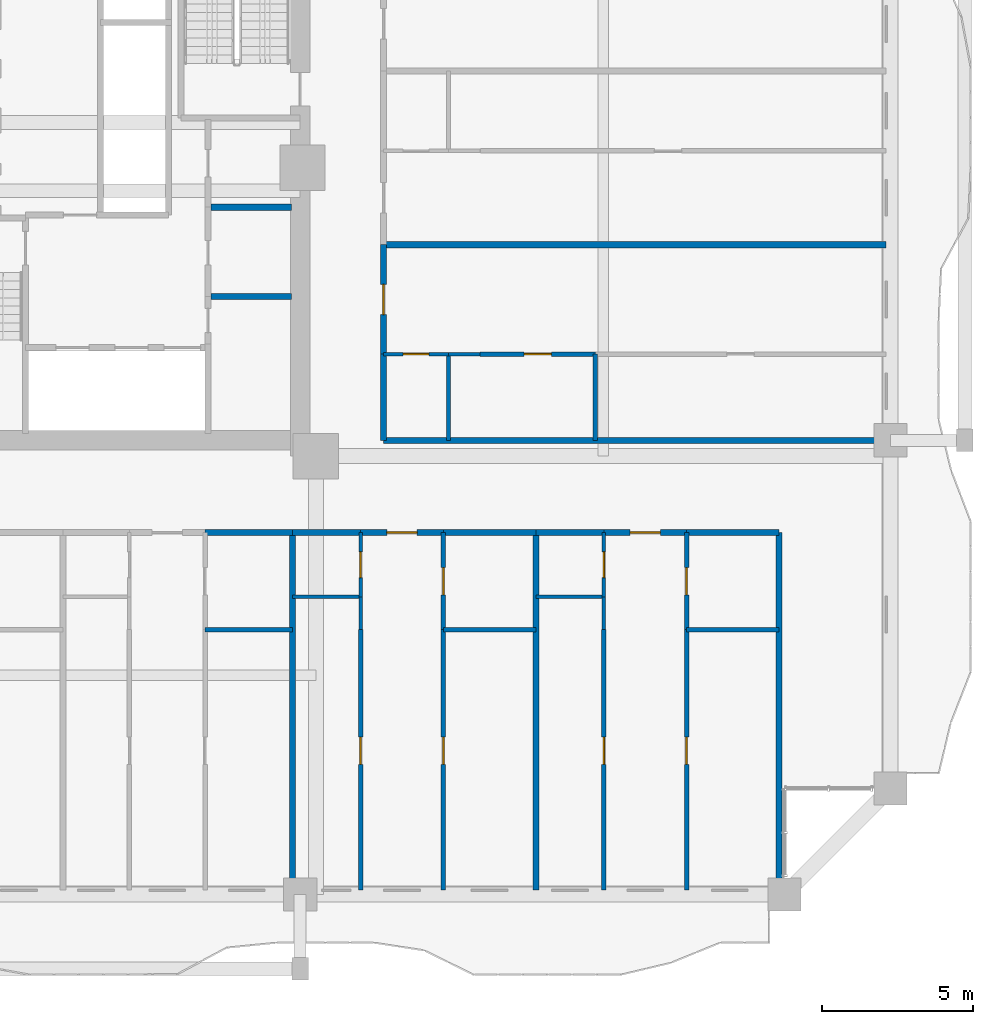
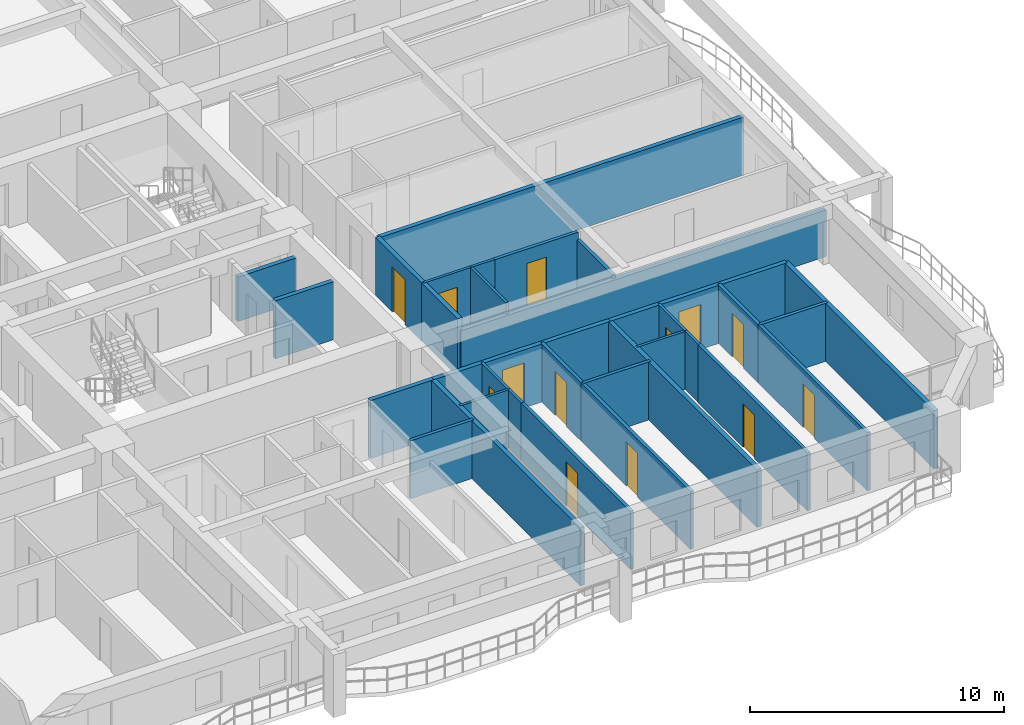
# One storey, part 17 of 28: 36 walls, 13 doors, 13 openings.
"""IFC4 building model written with IfcOpenShell, lengths in metres."""

from ifc_helpers import new_model, si_unit, direction, frame, frame_2d, origin, place, context, subcontext, project, spatial, rectangle, extrude, source, transform, mapped, material, layer, layer_set, type_object, element, fill, save


model = new_model("IFC4")

# Units and contexts
model_context = context("Model", 3, precision=1e-05, world=origin(), true_north=direction((0.0, 1.0)))
body_context = subcontext(model_context, "Body", "Model", "MODEL_VIEW")
ifc_project = project(units=[si_unit("LENGTHUNIT", "METRE"), si_unit("AREAUNIT", "SQUARE_METRE"), si_unit("VOLUMEUNIT", "CUBIC_METRE"), si_unit("PLANEANGLEUNIT", "RADIAN"), si_unit("MASSUNIT", "GRAM", prefix="KILO")], contexts=[model_context])

# Site, building, storey
site_placement = place(None, origin())
site = spatial("IfcSite", under=ifc_project, at=site_placement, CompositionType="ELEMENT")
building_placement = place(site_placement, origin())
building = spatial("IfcBuilding", under=site, at=building_placement, Name="Saelheon Loggia Tower", CompositionType="ELEMENT")
storey_placement = place(building_placement, frame((0.0, 0.0, 61.39990234375)))
storey = spatial("IfcBuildingStorey", under=building, at=storey_placement, Name="L19", CompositionType="ELEMENT", Elevation=61.39990234375)

# Walls
ifc_material_1 = material(Name="Lightweight Autoclaved Aerated Concrete Block and Acoustic Gypsum", Category="concrete")
ifc_layer_1 = layer(ifc_material_1, 0.14990234375)
ifc_layer_set_1 = layer_set([ifc_layer_1], Name="Lightweight Autoclaved Aerated Concrete Block and Acoustic Gypsum")
wall_type_1 = type_object("IfcWallType", Name="Wall_Part_150", PredefinedType="PARTITIONING", material=ifc_layer_set_1)
wall_1_placement = place(storey_placement, frame((41.365966796875, 11.75, 0.0), z_axis=(0.0, 0.0, 1.0), x_axis=(1.0, 0.0, 0.0)))
element("IfcWall", 1, at=wall_1_placement, inside=storey, type_object=wall_type_1, Name="L19 S Partition V33", PredefinedType="PARTITIONING", context=body_context, shape_type="SweptSolid", body=[
    extrude(rectangle(XDim=2.883544921875, YDim=0.14990234375, at=frame_2d((1.44189453125, 0.0))), origin(), (0.0, 0.0, 1.0), 2.7900390625),
])
wall_2_placement = place(storey_placement, frame((49.2314453125, 11.75, 0.0), z_axis=(0.0, 0.0, 1.0), x_axis=(1.0, 0.0, 0.0)))
element("IfcWall", 2, at=wall_2_placement, inside=storey, type_object=wall_type_1, Name="L19 S Partition V44", PredefinedType="PARTITIONING", context=body_context, shape_type="SweptSolid", body=[
    extrude(rectangle(XDim=3.053466796875, YDim=0.14990234375, at=frame_2d((1.52685546875, 0.0))), origin(), (0.0, 0.0, 1.0), 2.7900390625),
])

# Wall, opening, door
wall_3_placement = place(storey_placement, frame((46.49951171875, 11.75, 0.0), z_axis=(0.0, 0.0, 1.0), x_axis=(0.0, -1.0, 0.0)))
wall_3 = element("IfcWall", 3, at=wall_3_placement, inside=storey, type_object=wall_type_1, Name="L19 S Partition U47", PredefinedType="PARTITIONING", context=body_context, shape_type="SweptSolid", body=[
    extrude(rectangle(XDim=8.60009765625, YDim=0.14990234375, at=frame_2d((4.300048828125, 0.0))), origin(), (0.0, 0.0, 1.0), 2.7900390625),
])
opening_1_placement = place(wall_3_placement, frame((3.54931640625, 0.0, 0.0)))
opening_1 = element("IfcOpeningElement", 4, at=opening_1_placement, cuts=wall_3, Name="Opening D-IN2", PredefinedType="OPENING", context=body_context, shape_type="SweptSolid", body=[
    extrude(rectangle(XDim=0.89990234375, YDim=2.10009765625, at=frame_2d((0.449951171875, 1.050048828125))), frame((0.0, 0.0869140625, 0.0), z_axis=(0.0, -1.0, 0.0), x_axis=(1.0, 0.0, 0.0)), (0.0, 0.0, 1.0), 0.173828125),
])
ifc_material_2 = material(Name="Engineered Oak Flush Door", Category="timber")
door_type_1 = type_object("IfcDoorType", Name="Door_Int_900", OperationType="NOTDEFINED", PredefinedType="DOOR", material=ifc_material_2)
shared_shape_1 = source(origin(), body_context, "Body", "SweptSolid", [
    extrude(rectangle(XDim=0.89990234375, YDim=2.10009765625, at=frame_2d((0.449951171875, 1.050048828125))), frame((0.0, 0.02490234375, 0.0), z_axis=(0.0, -1.0, 0.0), x_axis=(1.0, 0.0, 0.0)), (0.0, 0.0, 1.0), 0.050048828125),
])
door_1_placement = place(opening_1_placement, origin())
door_1 = element("IfcDoor", 5, at=door_1_placement, inside=storey, type_object=door_type_1, Name="Unit U04 Kitchen Door", OperationType="SINGLE_SWING_RIGHT", OverallHeight=2.10009765625, OverallWidth=0.89990234375, PredefinedType="DOOR", context=body_context, shape_type="MappedRepresentation", body=[
    mapped(shared_shape_1, transform((0.0, 0.0, 0.0), scale=1.0)),
])
fill(opening_1, door_1)

wall_4_placement = place(storey_placement, frame((49.2314453125, 14.949951171875, 0.0), z_axis=(0.0, 0.0, 1.0), x_axis=(0.0, -1.0, 0.0)))
wall_4 = element("IfcWall", 6, at=wall_4_placement, inside=storey, type_object=wall_type_1, Name="L19 S Partition U48", PredefinedType="PARTITIONING", context=body_context, shape_type="SweptSolid", body=[
    extrude(rectangle(XDim=3.199951171875, YDim=0.14990234375, at=frame_2d((1.60009765625, 0.0))), origin(), (0.0, 0.0, 1.0), 2.7900390625),
])
opening_2_placement = place(wall_4_placement, frame((1.14990234375, 0.0, 0.0)))
opening_2 = element("IfcOpeningElement", 7, at=opening_2_placement, cuts=wall_4, Name="Opening D-IN2", PredefinedType="OPENING", context=body_context, shape_type="SweptSolid", body=[
    extrude(rectangle(XDim=0.89990234375, YDim=2.10009765625, at=frame_2d((0.449951171875, 1.050048828125))), frame((0.0, 0.0869140625, 0.0), z_axis=(0.0, -1.0, 0.0), x_axis=(1.0, 0.0, 0.0)), (0.0, 0.0, 1.0), 0.173828125),
])
door_2_placement = place(opening_2_placement, origin())
door_2 = element("IfcDoor", 8, at=door_2_placement, inside=storey, type_object=door_type_1, Name="Unit U04 Dressing Closet Door", OperationType="SINGLE_SWING_LEFT", OverallHeight=2.10009765625, OverallWidth=0.89990234375, PredefinedType="DOOR", context=body_context, shape_type="MappedRepresentation", body=[
    mapped(shared_shape_1, transform((0.0, 0.0, 0.0), scale=1.0)),
])
fill(opening_2, door_2)

wall_5_placement = place(storey_placement, frame((49.2314453125, 11.75, 0.0), z_axis=(0.0, 0.0, 1.0), x_axis=(0.0, -1.0, 0.0)))
wall_5 = element("IfcWall", 9, at=wall_5_placement, inside=storey, type_object=wall_type_1, Name="L19 S Partition U49", PredefinedType="PARTITIONING", context=body_context, shape_type="SweptSolid", body=[
    extrude(rectangle(XDim=8.60009765625, YDim=0.14990234375, at=frame_2d((4.300048828125, 0.0))), origin(), (0.0, 0.0, 1.0), 2.7900390625),
])
opening_3_placement = place(wall_5_placement, frame((3.54931640625, 0.0, 0.0)))
opening_3 = element("IfcOpeningElement", 10, at=opening_3_placement, cuts=wall_5, Name="Opening D-IN2", PredefinedType="OPENING", context=body_context, shape_type="SweptSolid", body=[
    extrude(rectangle(XDim=0.89990234375, YDim=2.10009765625, at=frame_2d((0.449951171875, 1.050048828125))), frame((0.0, 0.0869140625, 0.0), z_axis=(0.0, -1.0, 0.0), x_axis=(1.0, 0.0, 0.0)), (0.0, 0.0, 1.0), 0.173828125),
])
door_3_placement = place(opening_3_placement, origin())
door_3 = element("IfcDoor", 11, at=door_3_placement, inside=storey, type_object=door_type_1, Name="Unit U04 Bedroom 1 Door", OperationType="SINGLE_SWING_RIGHT", OverallHeight=2.10009765625, OverallWidth=0.89990234375, PredefinedType="DOOR", context=body_context, shape_type="MappedRepresentation", body=[
    mapped(shared_shape_1, transform((0.0, 0.0, 0.0), scale=1.0)),
])
fill(opening_3, door_3)

# Wall
wall_6_placement = place(storey_placement, frame((57.2666015625, 11.75, 0.0), z_axis=(0.0, 0.0, 1.0), x_axis=(1.0, 0.0, 0.0)))
element("IfcWall", 12, at=wall_6_placement, inside=storey, type_object=wall_type_1, Name="L19 S Partition V55", PredefinedType="PARTITIONING", context=body_context, shape_type="SweptSolid", body=[
    extrude(rectangle(XDim=3.053466796875, YDim=0.14990234375, at=frame_2d((1.52685546875, 0.0))), origin(), (0.0, 0.0, 1.0), 2.7900390625),
])

# Wall, opening, door
wall_7_placement = place(storey_placement, frame((54.53466796875, 11.75, 0.0), z_axis=(0.0, 0.0, 1.0), x_axis=(0.0, -1.0, 0.0)))
wall_7 = element("IfcWall", 13, at=wall_7_placement, inside=storey, type_object=wall_type_1, Name="L19 S Partition U58", PredefinedType="PARTITIONING", context=body_context, shape_type="SweptSolid", body=[
    extrude(rectangle(XDim=8.60009765625, YDim=0.14990234375, at=frame_2d((4.300048828125, 0.0))), origin(), (0.0, 0.0, 1.0), 2.7900390625),
])
opening_4_placement = place(wall_7_placement, frame((3.54931640625, 0.0, 0.0)))
opening_4 = element("IfcOpeningElement", 14, at=opening_4_placement, cuts=wall_7, Name="Opening D-IN2", PredefinedType="OPENING", context=body_context, shape_type="SweptSolid", body=[
    extrude(rectangle(XDim=0.89990234375, YDim=2.10009765625, at=frame_2d((0.449951171875, 1.050048828125))), frame((0.0, 0.0869140625, 0.0), z_axis=(0.0, -1.0, 0.0), x_axis=(1.0, 0.0, 0.0)), (0.0, 0.0, 1.0), 0.173828125),
])
door_4_placement = place(opening_4_placement, origin())
door_4 = element("IfcDoor", 15, at=door_4_placement, inside=storey, type_object=door_type_1, Name="Unit U05 Kitchen Door", OperationType="SINGLE_SWING_LEFT", OverallHeight=2.10009765625, OverallWidth=0.89990234375, PredefinedType="DOOR", context=body_context, shape_type="MappedRepresentation", body=[
    mapped(shared_shape_1, transform((0.0, 0.0, 0.0), scale=1.0)),
])
fill(opening_4, door_4)

wall_8_placement = place(storey_placement, frame((57.2666015625, 14.949951171875, 0.0), z_axis=(0.0, 0.0, 1.0), x_axis=(0.0, -1.0, 0.0)))
wall_8 = element("IfcWall", 16, at=wall_8_placement, inside=storey, type_object=wall_type_1, Name="L19 S Partition U59", PredefinedType="PARTITIONING", context=body_context, shape_type="SweptSolid", body=[
    extrude(rectangle(XDim=3.199951171875, YDim=0.14990234375, at=frame_2d((1.60009765625, 0.0))), origin(), (0.0, 0.0, 1.0), 2.7900390625),
])
opening_5_placement = place(wall_8_placement, frame((1.14990234375, 0.0, 0.0)))
opening_5 = element("IfcOpeningElement", 17, at=opening_5_placement, cuts=wall_8, Name="Opening D-IN2", PredefinedType="OPENING", context=body_context, shape_type="SweptSolid", body=[
    extrude(rectangle(XDim=0.89990234375, YDim=2.10009765625, at=frame_2d((0.449951171875, 1.050048828125))), frame((0.0, 0.0869140625, 0.0), z_axis=(0.0, -1.0, 0.0), x_axis=(1.0, 0.0, 0.0)), (0.0, 0.0, 1.0), 0.173828125),
])
door_5_placement = place(opening_5_placement, origin())
door_5 = element("IfcDoor", 18, at=door_5_placement, inside=storey, type_object=door_type_1, Name="Unit U05 Dressing Closet Door", OperationType="SINGLE_SWING_RIGHT", OverallHeight=2.10009765625, OverallWidth=0.89990234375, PredefinedType="DOOR", context=body_context, shape_type="MappedRepresentation", body=[
    mapped(shared_shape_1, transform((0.0, 0.0, 0.0), scale=1.0)),
])
fill(opening_5, door_5)

wall_9_placement = place(storey_placement, frame((57.2666015625, 11.75, 0.0), z_axis=(0.0, 0.0, 1.0), x_axis=(0.0, -1.0, 0.0)))
wall_9 = element("IfcWall", 19, at=wall_9_placement, inside=storey, type_object=wall_type_1, Name="L19 S Partition U60", PredefinedType="PARTITIONING", context=body_context, shape_type="SweptSolid", body=[
    extrude(rectangle(XDim=8.60009765625, YDim=0.14990234375, at=frame_2d((4.300048828125, 0.0))), origin(), (0.0, 0.0, 1.0), 2.7900390625),
])
opening_6_placement = place(wall_9_placement, frame((3.54931640625, 0.0, 0.0)))
opening_6 = element("IfcOpeningElement", 20, at=opening_6_placement, cuts=wall_9, Name="Opening D-IN2", PredefinedType="OPENING", context=body_context, shape_type="SweptSolid", body=[
    extrude(rectangle(XDim=0.89990234375, YDim=2.10009765625, at=frame_2d((0.449951171875, 1.050048828125))), frame((0.0, 0.0869140625, 0.0), z_axis=(0.0, -1.0, 0.0), x_axis=(1.0, 0.0, 0.0)), (0.0, 0.0, 1.0), 0.173828125),
])
door_6_placement = place(opening_6_placement, origin())
door_6 = element("IfcDoor", 21, at=door_6_placement, inside=storey, type_object=door_type_1, Name="Unit U05 Bedroom 1 Door", OperationType="SINGLE_SWING_LEFT", OverallHeight=2.10009765625, OverallWidth=0.89990234375, PredefinedType="DOOR", context=body_context, shape_type="MappedRepresentation", body=[
    mapped(shared_shape_1, transform((0.0, 0.0, 0.0), scale=1.0)),
])
fill(opening_6, door_6)

# Wall
wall_10_placement = place(storey_placement, frame((54.25, 18.0, 0.0), z_axis=(0.0, 0.0, 1.0), x_axis=(0.0, 1.0, 0.0)))
element("IfcWall", 22, at=wall_10_placement, inside=storey, type_object=wall_type_1, Name="L19 E Partition V08", PredefinedType="PARTITIONING", context=body_context, shape_type="SweptSolid", body=[
    extrude(rectangle(XDim=2.85009765625, YDim=0.14990234375, at=frame_2d((1.425048828125, 0.0))), origin(), (0.0, 0.0, 1.0), 2.440185546875),
])

# Wall, opening, door
wall_11_placement = place(storey_placement, frame((50.449951171875, 20.85009765625, 0.0), z_axis=(0.0, 0.0, 1.0), x_axis=(1.0, 0.0, 0.0)))
wall_11 = element("IfcWall", 23, at=wall_11_placement, inside=storey, type_object=wall_type_1, Name="L19 E Partition U09", PredefinedType="PARTITIONING", context=body_context, shape_type="SweptSolid", body=[
    extrude(rectangle(XDim=3.800048828125, YDim=0.14990234375, at=frame_2d((1.89990234375, 0.0))), origin(), (0.0, 0.0, 1.0), 2.7900390625),
])
opening_7_placement = place(wall_11_placement, frame((1.449951171875, 0.0, 0.0)))
opening_7 = element("IfcOpeningElement", 24, at=opening_7_placement, cuts=wall_11, Name="Opening D-IN2", PredefinedType="OPENING", context=body_context, shape_type="SweptSolid", body=[
    extrude(rectangle(XDim=0.89990234375, YDim=2.10009765625, at=frame_2d((0.449951171875, 1.050048828125))), frame((0.0, 0.0869140625, 0.0), z_axis=(0.0, -1.0, 0.0), x_axis=(1.0, 0.0, 0.0)), (0.0, 0.0, 1.0), 0.173828125),
])
door_7_placement = place(opening_7_placement, origin())
door_7 = element("IfcDoor", 25, at=door_7_placement, inside=storey, type_object=door_type_1, Name="Unit U13 Kitchen Door", OperationType="SINGLE_SWING_LEFT", OverallHeight=2.10009765625, OverallWidth=0.89990234375, PredefinedType="DOOR", context=body_context, shape_type="MappedRepresentation", body=[
    mapped(shared_shape_1, transform((0.0, 0.0, 0.0), scale=1.0)),
])
fill(opening_7, door_7)

# Walls
ifc_material_3 = material(Name="Double Acoustic Stud and Fireboard Partition", Category="gypsum")
ifc_layer_2 = layer(ifc_material_3, 0.199951171875)
ifc_layer_set_2 = layer_set([ifc_layer_2], Name="Double Acoustic Stud and Fireboard Partition")
wall_type_2 = type_object("IfcWallType", Name="Wall_Party_200", PredefinedType="PARTITIONING", material=ifc_layer_set_2)
wall_12_placement = place(storey_placement, frame((60.320068359375, 14.949951171875, 0.0), z_axis=(0.0, 0.0, 1.0), x_axis=(0.0, -1.0, 0.0)))
element("IfcWall", 26, at=wall_12_placement, inside=storey, type_object=wall_type_2, Name="L19 S Partition U02", PredefinedType="PARTITIONING", context=body_context, shape_type="SweptSolid", body=[
    extrude(rectangle(XDim=11.800048828125, YDim=0.199951171875, at=frame_2d((5.89990234375, 0.0))), origin(), (0.0, 0.0, 1.0), 2.7900390625),
])
wall_13_placement = place(storey_placement, frame((41.365966796875, 14.949951171875, 0.0), z_axis=(0.0, 0.0, 1.0), x_axis=(1.0, 0.0, 0.0)))
element("IfcWall", 27, at=wall_13_placement, inside=storey, type_object=wall_type_2, Name="L19 S Partition V31", PredefinedType="PARTITIONING", context=body_context, shape_type="SweptSolid", body=[
    extrude(rectangle(XDim=2.883544921875, YDim=0.199951171875, at=frame_2d((1.44189453125, 0.0))), origin(), (0.0, 0.0, 1.0), 2.7900390625),
])
wall_14_placement = place(storey_placement, frame((44.24951171875, 14.949951171875, 0.0), z_axis=(0.0, 0.0, 1.0), x_axis=(0.0, -1.0, 0.0)))
element("IfcWall", 28, at=wall_14_placement, inside=storey, type_object=wall_type_2, Name="L19 S Partition U39", PredefinedType="PARTITIONING", context=body_context, shape_type="SweptSolid", body=[
    extrude(rectangle(XDim=11.800048828125, YDim=0.199951171875, at=frame_2d((5.89990234375, 0.0))), origin(), (0.0, 0.0, 1.0), 2.7900390625),
])
wall_15_placement = place(storey_placement, frame((44.24951171875, 14.949951171875, 0.0), z_axis=(0.0, 0.0, 1.0), x_axis=(1.0, 0.0, 0.0)))
element("IfcWall", 29, at=wall_15_placement, inside=storey, type_object=wall_type_2, Name="L19 S Partition V40", PredefinedType="PARTITIONING", context=body_context, shape_type="SweptSolid", body=[
    extrude(rectangle(XDim=2.25, YDim=0.199951171875, at=frame_2d((1.125, 0.0))), origin(), (0.0, 0.0, 1.0), 2.7900390625),
])

# Wall, opening, door
wall_16_placement = place(storey_placement, frame((46.49951171875, 14.949951171875, 0.0), z_axis=(0.0, 0.0, 1.0), x_axis=(1.0, 0.0, 0.0)))
wall_16 = element("IfcWall", 30, at=wall_16_placement, inside=storey, type_object=wall_type_2, Name="L19 S Partition V41", PredefinedType="PARTITIONING", context=body_context, shape_type="SweptSolid", body=[
    extrude(rectangle(XDim=2.73193359375, YDim=0.199951171875, at=frame_2d((1.365966796875, 0.0))), origin(), (0.0, 0.0, 1.0), 2.7900390625),
])
opening_8_placement = place(wall_16_placement, frame((0.865966796875, 0.0, 0.0)))
opening_8 = element("IfcOpeningElement", 31, at=opening_8_placement, cuts=wall_16, Name="Opening D-FD1", PredefinedType="OPENING", context=body_context, shape_type="SweptSolid", body=[
    extrude(rectangle(XDim=1.0, YDim=2.14990234375, at=frame_2d((0.5, 1.074951171875))), frame((0.0, 0.112060546875, 0.0), z_axis=(0.0, -1.0, 0.0), x_axis=(1.0, 0.0, 0.0)), (0.0, 0.0, 1.0), 0.223876953125),
])
ifc_material_4 = material(Name="Fire-Rated Engineered Timber Entrance Door", Category="wood")
door_type_2 = type_object("IfcDoorType", Name="Door_Flat_FD30S", OperationType="NOTDEFINED", PredefinedType="DOOR", material=ifc_material_4)
shared_shape_2 = source(origin(), body_context, "Body", "SweptSolid", [
    extrude(rectangle(XDim=1.0, YDim=2.14990234375, at=frame_2d((0.5, 1.074951171875))), frame((0.0, 0.02490234375, 0.0), z_axis=(0.0, -1.0, 0.0), x_axis=(1.0, 0.0, 0.0)), (0.0, 0.0, 1.0), 0.050048828125),
])
door_8_placement = place(opening_8_placement, origin())
door_8 = element("IfcDoor", 32, at=door_8_placement, inside=storey, type_object=door_type_2, Name="Unit U04 Entrance Door", OperationType="SINGLE_SWING_RIGHT", OverallHeight=2.14990234375, OverallWidth=1.0, PredefinedType="DOOR", context=body_context, shape_type="MappedRepresentation", body=[
    mapped(shared_shape_2, transform((0.0, 0.0, 0.0), scale=1.0)),
])
fill(opening_8, door_8)

# Walls
wall_17_placement = place(storey_placement, frame((49.2314453125, 14.949951171875, 0.0), z_axis=(0.0, 0.0, 1.0), x_axis=(1.0, 0.0, 0.0)))
element("IfcWall", 33, at=wall_17_placement, inside=storey, type_object=wall_type_2, Name="L19 S Partition V42", PredefinedType="PARTITIONING", context=body_context, shape_type="SweptSolid", body=[
    extrude(rectangle(XDim=3.053466796875, YDim=0.199951171875, at=frame_2d((1.52685546875, 0.0))), origin(), (0.0, 0.0, 1.0), 2.7900390625),
])
wall_18_placement = place(storey_placement, frame((52.284912109375, 14.949951171875, 0.0), z_axis=(0.0, 0.0, 1.0), x_axis=(0.0, -1.0, 0.0)))
element("IfcWall", 34, at=wall_18_placement, inside=storey, type_object=wall_type_2, Name="L19 S Partition U50", PredefinedType="PARTITIONING", context=body_context, shape_type="SweptSolid", body=[
    extrude(rectangle(XDim=11.800048828125, YDim=0.199951171875, at=frame_2d((5.89990234375, 0.0))), origin(), (0.0, 0.0, 1.0), 2.7900390625),
])
wall_19_placement = place(storey_placement, frame((52.284912109375, 14.949951171875, 0.0), z_axis=(0.0, 0.0, 1.0), x_axis=(1.0, 0.0, 0.0)))
element("IfcWall", 35, at=wall_19_placement, inside=storey, type_object=wall_type_2, Name="L19 S Partition V51", PredefinedType="PARTITIONING", context=body_context, shape_type="SweptSolid", body=[
    extrude(rectangle(XDim=2.249755859375, YDim=0.199951171875, at=frame_2d((1.125, 0.0))), origin(), (0.0, 0.0, 1.0), 2.7900390625),
])

# Wall, opening, door
wall_20_placement = place(storey_placement, frame((54.53466796875, 14.949951171875, 0.0), z_axis=(0.0, 0.0, 1.0), x_axis=(1.0, 0.0, 0.0)))
wall_20 = element("IfcWall", 36, at=wall_20_placement, inside=storey, type_object=wall_type_2, Name="L19 S Partition V52", PredefinedType="PARTITIONING", context=body_context, shape_type="SweptSolid", body=[
    extrude(rectangle(XDim=2.73193359375, YDim=0.199951171875, at=frame_2d((1.365966796875, 0.0))), origin(), (0.0, 0.0, 1.0), 2.7900390625),
])
opening_9_placement = place(wall_20_placement, frame((0.865966796875, 0.0, 0.0)))
opening_9 = element("IfcOpeningElement", 37, at=opening_9_placement, cuts=wall_20, Name="Opening D-FD1", PredefinedType="OPENING", context=body_context, shape_type="SweptSolid", body=[
    extrude(rectangle(XDim=1.0, YDim=2.14990234375, at=frame_2d((0.5, 1.074951171875))), frame((0.0, 0.112060546875, 0.0), z_axis=(0.0, -1.0, 0.0), x_axis=(1.0, 0.0, 0.0)), (0.0, 0.0, 1.0), 0.223876953125),
])
door_9_placement = place(opening_9_placement, origin())
door_9 = element("IfcDoor", 38, at=door_9_placement, inside=storey, type_object=door_type_2, Name="Unit U05 Entrance Door", OperationType="SINGLE_SWING_LEFT", OverallHeight=2.14990234375, OverallWidth=1.0, PredefinedType="DOOR", context=body_context, shape_type="MappedRepresentation", body=[
    mapped(shared_shape_2, transform((0.0, 0.0, 0.0), scale=1.0)),
])
fill(opening_9, door_9)

# Walls
wall_21_placement = place(storey_placement, frame((57.2666015625, 14.949951171875, 0.0), z_axis=(0.0, 0.0, 1.0), x_axis=(1.0, 0.0, 0.0)))
element("IfcWall", 39, at=wall_21_placement, inside=storey, type_object=wall_type_2, Name="L19 S Partition V53", PredefinedType="PARTITIONING", context=body_context, shape_type="SweptSolid", body=[
    extrude(rectangle(XDim=3.053466796875, YDim=0.199951171875, at=frame_2d((1.52685546875, 0.0))), origin(), (0.0, 0.0, 1.0), 2.7900390625),
])
wall_22_placement = place(storey_placement, frame((47.25, 18.0, 0.0), z_axis=(0.0, 0.0, 1.0), x_axis=(1.0, 0.0, 0.0)))
element("IfcWall", 40, at=wall_22_placement, inside=storey, type_object=wall_type_2, Name="L19 E Partition U01", PredefinedType="PARTITIONING", context=body_context, shape_type="SweptSolid", body=[
    extrude(rectangle(XDim=16.60009765625, YDim=0.199951171875, at=frame_2d((8.300048828125, 0.0))), origin(), (0.0, 0.0, 1.0), 2.239990234375),
])
wall_23_placement = place(storey_placement, frame((47.25, 18.0, 0.0), z_axis=(0.0, 0.0, 1.0), x_axis=(0.0, 1.0, 0.0)))
element("IfcWall", 41, at=wall_23_placement, inside=storey, type_object=wall_type_2, Name="L19 E Partition V03", PredefinedType="PARTITIONING", context=body_context, shape_type="SweptSolid", body=[
    extrude(rectangle(XDim=2.85009765625, YDim=0.199951171875, at=frame_2d((1.425048828125, 0.0))), origin(), (0.0, 0.0, 1.0), 2.7900390625),
])

# Wall, opening, door
wall_24_placement = place(storey_placement, frame((47.25, 20.85009765625, 0.0), z_axis=(0.0, 0.0, 1.0), x_axis=(0.0, 1.0, 0.0)))
wall_24 = element("IfcWall", 42, at=wall_24_placement, inside=storey, type_object=wall_type_2, Name="L19 E Partition V04", PredefinedType="PARTITIONING", context=body_context, shape_type="SweptSolid", body=[
    extrude(rectangle(XDim=3.61181640625, YDim=0.199951171875, at=frame_2d((1.805908203125, 0.0))), origin(), (0.0, 0.0, 1.0), 2.7900390625),
])
opening_10_placement = place(wall_24_placement, frame((1.305908203125, 0.0, 0.0)))
opening_10 = element("IfcOpeningElement", 43, at=opening_10_placement, cuts=wall_24, Name="Opening D-FD1", PredefinedType="OPENING", context=body_context, shape_type="SweptSolid", body=[
    extrude(rectangle(XDim=1.0, YDim=2.14990234375, at=frame_2d((0.5, 1.074951171875))), frame((0.0, 0.112060546875, 0.0), z_axis=(0.0, -1.0, 0.0), x_axis=(1.0, 0.0, 0.0)), (0.0, 0.0, 1.0), 0.223876953125),
])
door_10_placement = place(opening_10_placement, origin())
door_10 = element("IfcDoor", 44, at=door_10_placement, inside=storey, type_object=door_type_2, Name="Unit U13 Entrance Door", OperationType="SINGLE_SWING_LEFT", OverallHeight=2.14990234375, OverallWidth=1.0, PredefinedType="DOOR", context=body_context, shape_type="MappedRepresentation", body=[
    mapped(shared_shape_2, transform((0.0, 0.0, 0.0), scale=1.0)),
])
fill(opening_10, door_10)

# Walls
wall_25_placement = place(storey_placement, frame((47.25, 24.4619140625, 0.0), z_axis=(0.0, 0.0, 1.0), x_axis=(1.0, 0.0, 0.0)))
element("IfcWall", 45, at=wall_25_placement, inside=storey, type_object=wall_type_2, Name="L19 E Partition U11", PredefinedType="PARTITIONING", context=body_context, shape_type="SweptSolid", body=[
    extrude(rectangle(XDim=16.60009765625, YDim=0.199951171875, at=frame_2d((8.300048828125, 0.0))), origin(), (0.0, 0.0, 1.0), 2.7900390625),
])
ifc_material_5 = material(Name="Concrete C40/50", Category="concrete")
ifc_layer_3 = layer(ifc_material_5, 0.199951171875)
ifc_layer_set_3 = layer_set([ifc_layer_3], Name="Concrete C40/50")
wall_type_3 = type_object("IfcWallType", Name="Wall_Shaft_200", PredefinedType="PARTITIONING", material=ifc_layer_set_3)
wall_26_placement = place(storey_placement, frame((41.550048828125, 22.75, 0.0), z_axis=(0.0, 0.0, 1.0), x_axis=(1.0, 0.0, 0.0)))
element("IfcWall", 46, at=wall_26_placement, inside=storey, type_object=wall_type_3, Name="CW-BOH-L19-H1", PredefinedType="PARTITIONING", context=body_context, shape_type="SweptSolid", body=[
    extrude(rectangle(XDim=2.669921875, YDim=0.199951171875, at=frame_2d((1.3349609375, 0.0))), origin(), (0.0, 0.0, 1.0), 2.7900390625),
])
wall_27_placement = place(storey_placement, frame((41.550048828125, 25.699951171875, 0.0), z_axis=(0.0, 0.0, 1.0), x_axis=(1.0, 0.0, 0.0)))
element("IfcWall", 47, at=wall_27_placement, inside=storey, type_object=wall_type_3, Name="CW-BOH-L19-H2", PredefinedType="PARTITIONING", context=body_context, shape_type="SweptSolid", body=[
    extrude(rectangle(XDim=2.669921875, YDim=0.199951171875, at=frame_2d((1.3349609375, 0.0))), origin(), (0.0, 0.0, 1.0), 2.14013671875),
])
ifc_material_6 = material(Name="Moisture-Resistant Cement Board Partition", Category="gypsum")
ifc_layer_4 = layer(ifc_material_6, 0.1201171875)
ifc_layer_set_4 = layer_set([ifc_layer_4], Name="Moisture-Resistant Cement Board Partition")
wall_type_4 = type_object("IfcWallType", Name="Wall_WetPart_120", PredefinedType="PARTITIONING", material=ifc_layer_set_4)
wall_28_placement = place(storey_placement, frame((44.24951171875, 12.830078125, 0.0), z_axis=(0.0, 0.0, 1.0), x_axis=(1.0, 0.0, 0.0)))
element("IfcWall", 48, at=wall_28_placement, inside=storey, type_object=wall_type_4, Name="L19 S Partition V43", PredefinedType="PARTITIONING", context=body_context, shape_type="SweptSolid", body=[
    extrude(rectangle(XDim=2.25, YDim=0.1201171875, at=frame_2d((1.125, 0.0))), origin(), (0.0, 0.0, 1.0), 2.7900390625),
])

# Wall, opening, door
wall_29_placement = place(storey_placement, frame((46.49951171875, 14.949951171875, 0.0), z_axis=(0.0, 0.0, 1.0), x_axis=(0.0, -1.0, 0.0)))
wall_29 = element("IfcWall", 49, at=wall_29_placement, inside=storey, type_object=wall_type_4, Name="L19 S Partition U45", PredefinedType="PARTITIONING", context=body_context, shape_type="SweptSolid", body=[
    extrude(rectangle(XDim=2.119873046875, YDim=0.1201171875, at=frame_2d((1.06005859375, 0.0))), origin(), (0.0, 0.0, 1.0), 2.7900390625),
])
opening_11_placement = place(wall_29_placement, frame((0.635009765625, 0.0, 0.0)))
opening_11 = element("IfcOpeningElement", 50, at=opening_11_placement, cuts=wall_29, Name="Opening D-BT1", PredefinedType="OPENING", context=body_context, shape_type="SweptSolid", body=[
    extrude(rectangle(XDim=0.85009765625, YDim=2.050048828125, at=frame_2d((0.425048828125, 1.02490234375))), frame((0.0, 0.072021484375, 0.0), z_axis=(0.0, -1.0, 0.0), x_axis=(1.0, 0.0, 0.0)), (0.0, 0.0, 1.0), 0.14404296875),
])
ifc_material_7 = material(Name="Moisture-Resistant Laminate Timber Door", Category="wood")
door_type_3 = type_object("IfcDoorType", Name="Door_Bath_850", OperationType="NOTDEFINED", PredefinedType="DOOR", material=ifc_material_7)
shared_shape_3 = source(origin(), body_context, "Body", "SweptSolid", [
    extrude(rectangle(XDim=0.85009765625, YDim=2.050048828125, at=frame_2d((0.425048828125, 1.02490234375))), frame((0.0, 0.02490234375, 0.0), z_axis=(0.0, -1.0, 0.0), x_axis=(1.0, 0.0, 0.0)), (0.0, 0.0, 1.0), 0.050048828125),
])
door_11_placement = place(opening_11_placement, origin())
door_11 = element("IfcDoor", 51, at=door_11_placement, inside=storey, type_object=door_type_3, Name="Unit U04 Bathroom Door", OperationType="SINGLE_SWING_LEFT", OverallHeight=2.050048828125, OverallWidth=0.85009765625, PredefinedType="DOOR", context=body_context, shape_type="MappedRepresentation", body=[
    mapped(shared_shape_3, transform((0.0, 0.0, 0.0), scale=1.0)),
])
fill(opening_11, door_11)

# Walls
wall_30_placement = place(storey_placement, frame((46.49951171875, 12.830078125, 0.0), z_axis=(0.0, 0.0, 1.0), x_axis=(0.0, -1.0, 0.0)))
element("IfcWall", 52, at=wall_30_placement, inside=storey, type_object=wall_type_4, Name="L19 S Partition U46", PredefinedType="PARTITIONING", context=body_context, shape_type="SweptSolid", body=[
    extrude(rectangle(XDim=1.080078125, YDim=0.1201171875, at=frame_2d((0.5400390625, 0.0))), origin(), (0.0, 0.0, 1.0), 2.7900390625),
])
wall_31_placement = place(storey_placement, frame((52.284912109375, 12.830078125, 0.0), z_axis=(0.0, 0.0, 1.0), x_axis=(1.0, 0.0, 0.0)))
element("IfcWall", 53, at=wall_31_placement, inside=storey, type_object=wall_type_4, Name="L19 S Partition V54", PredefinedType="PARTITIONING", context=body_context, shape_type="SweptSolid", body=[
    extrude(rectangle(XDim=2.249755859375, YDim=0.1201171875, at=frame_2d((1.125, 0.0))), origin(), (0.0, 0.0, 1.0), 2.7900390625),
])

# Wall, opening, door
wall_32_placement = place(storey_placement, frame((54.53466796875, 14.949951171875, 0.0), z_axis=(0.0, 0.0, 1.0), x_axis=(0.0, -1.0, 0.0)))
wall_32 = element("IfcWall", 54, at=wall_32_placement, inside=storey, type_object=wall_type_4, Name="L19 S Partition U56", PredefinedType="PARTITIONING", context=body_context, shape_type="SweptSolid", body=[
    extrude(rectangle(XDim=2.119873046875, YDim=0.1201171875, at=frame_2d((1.06005859375, 0.0))), origin(), (0.0, 0.0, 1.0), 2.7900390625),
])
opening_12_placement = place(wall_32_placement, frame((0.635009765625, 0.0, 0.0)))
opening_12 = element("IfcOpeningElement", 55, at=opening_12_placement, cuts=wall_32, Name="Opening D-BT1", PredefinedType="OPENING", context=body_context, shape_type="SweptSolid", body=[
    extrude(rectangle(XDim=0.85009765625, YDim=2.050048828125, at=frame_2d((0.425048828125, 1.02490234375))), frame((0.0, 0.072021484375, 0.0), z_axis=(0.0, -1.0, 0.0), x_axis=(1.0, 0.0, 0.0)), (0.0, 0.0, 1.0), 0.14404296875),
])
door_12_placement = place(opening_12_placement, origin())
door_12 = element("IfcDoor", 56, at=door_12_placement, inside=storey, type_object=door_type_3, Name="Unit U05 Bathroom Door", OperationType="SINGLE_SWING_RIGHT", OverallHeight=2.050048828125, OverallWidth=0.85009765625, PredefinedType="DOOR", context=body_context, shape_type="MappedRepresentation", body=[
    mapped(shared_shape_3, transform((0.0, 0.0, 0.0), scale=1.0)),
])
fill(opening_12, door_12)

# Wall
wall_33_placement = place(storey_placement, frame((54.53466796875, 12.830078125, 0.0), z_axis=(0.0, 0.0, 1.0), x_axis=(0.0, -1.0, 0.0)))
element("IfcWall", 57, at=wall_33_placement, inside=storey, type_object=wall_type_4, Name="L19 S Partition U57", PredefinedType="PARTITIONING", context=body_context, shape_type="SweptSolid", body=[
    extrude(rectangle(XDim=1.080078125, YDim=0.1201171875, at=frame_2d((0.5400390625, 0.0))), origin(), (0.0, 0.0, 1.0), 2.7900390625),
])

# Wall, opening, door
wall_34_placement = place(storey_placement, frame((47.25, 20.85009765625, 0.0), z_axis=(0.0, 0.0, 1.0), x_axis=(1.0, 0.0, 0.0)))
wall_34 = element("IfcWall", 58, at=wall_34_placement, inside=storey, type_object=wall_type_4, Name="L19 E Partition U05", PredefinedType="PARTITIONING", context=body_context, shape_type="SweptSolid", body=[
    extrude(rectangle(XDim=2.14990234375, YDim=0.1201171875, at=frame_2d((1.074951171875, 0.0))), origin(), (0.0, 0.0, 1.0), 2.7900390625),
])
opening_13_placement = place(wall_34_placement, frame((0.64990234375, 0.0, 0.0)))
opening_13 = element("IfcOpeningElement", 59, at=opening_13_placement, cuts=wall_34, Name="Opening D-BT1", PredefinedType="OPENING", context=body_context, shape_type="SweptSolid", body=[
    extrude(rectangle(XDim=0.85009765625, YDim=2.050048828125, at=frame_2d((0.425048828125, 1.02490234375))), frame((0.0, 0.072021484375, 0.0), z_axis=(0.0, -1.0, 0.0), x_axis=(1.0, 0.0, 0.0)), (0.0, 0.0, 1.0), 0.14404296875),
])
door_13_placement = place(opening_13_placement, origin())
door_13 = element("IfcDoor", 60, at=door_13_placement, inside=storey, type_object=door_type_3, Name="Unit U13 Bathroom Door", OperationType="SINGLE_SWING_RIGHT", OverallHeight=2.050048828125, OverallWidth=0.85009765625, PredefinedType="DOOR", context=body_context, shape_type="MappedRepresentation", body=[
    mapped(shared_shape_3, transform((0.0, 0.0, 0.0), scale=1.0)),
])
fill(opening_13, door_13)

# Walls
wall_35_placement = place(storey_placement, frame((49.39990234375, 20.85009765625, 0.0), z_axis=(0.0, 0.0, 1.0), x_axis=(1.0, 0.0, 0.0)))
element("IfcWall", 61, at=wall_35_placement, inside=storey, type_object=wall_type_4, Name="L19 E Partition U06", PredefinedType="PARTITIONING", context=body_context, shape_type="SweptSolid", body=[
    extrude(rectangle(XDim=1.050048828125, YDim=0.1201171875, at=frame_2d((0.52490234375, 0.0))), origin(), (0.0, 0.0, 1.0), 2.7900390625),
])
wall_36_placement = place(storey_placement, frame((49.39990234375, 18.0, 0.0), z_axis=(0.0, 0.0, 1.0), x_axis=(0.0, 1.0, 0.0)))
element("IfcWall", 62, at=wall_36_placement, inside=storey, type_object=wall_type_4, Name="L19 E Partition V07", PredefinedType="PARTITIONING", context=body_context, shape_type="SweptSolid", body=[
    extrude(rectangle(XDim=2.85009765625, YDim=0.1201171875, at=frame_2d((1.425048828125, 0.0))), origin(), (0.0, 0.0, 1.0), 2.7900390625),
])

save(model, "model.ifc")
